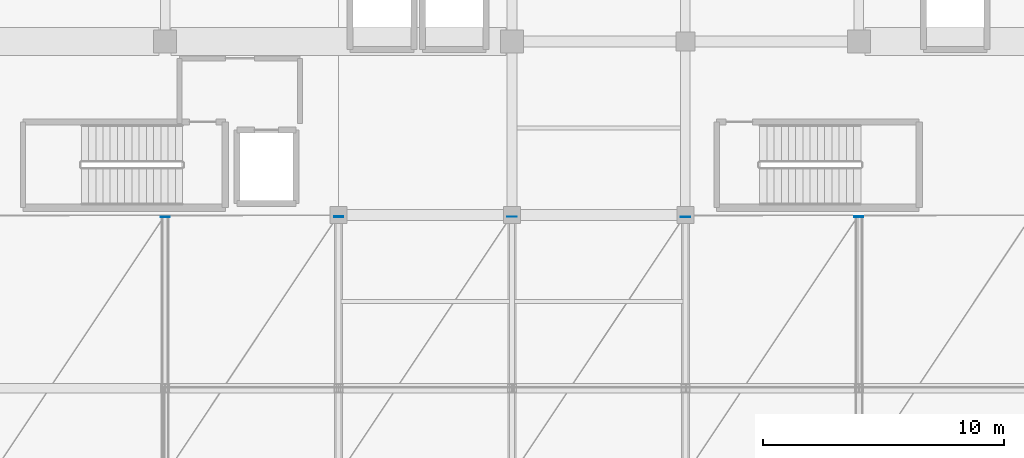
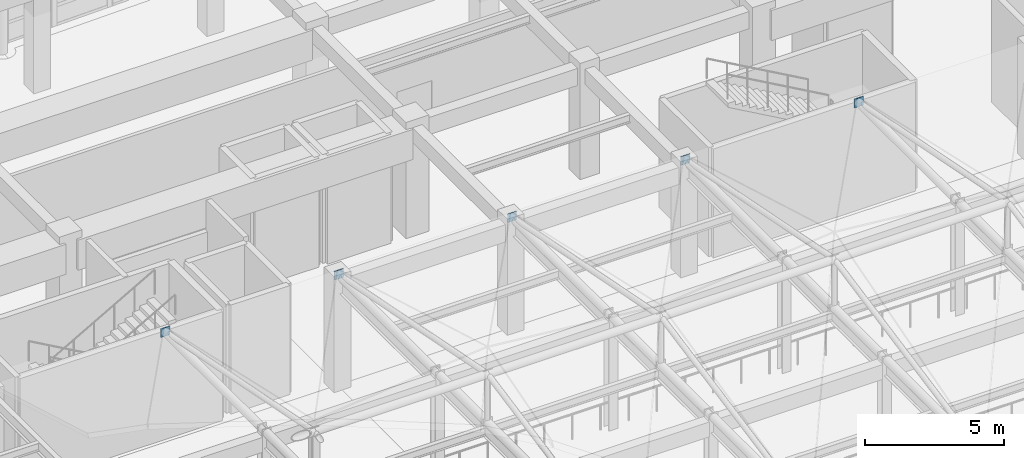
# One storey, part 83 of 117: 5 plates.
"""IFC4 building model written with IfcOpenShell, lengths in metres."""

from ifc_helpers import new_model, si_unit, direction, frame, origin, origin_2d, place, context, subcontext, project, spatial, rectangle, extrude, material, layer, layer_set, type_object, element, save


model = new_model("IFC4")

# Units and contexts
model_context = context("Model", 3, precision=1e-05, world=origin(), true_north=direction((0.0, 1.0)))
body_context = subcontext(model_context, "Body", "Model", "MODEL_VIEW")
ifc_project = project(units=[si_unit("LENGTHUNIT", "METRE"), si_unit("AREAUNIT", "SQUARE_METRE"), si_unit("VOLUMEUNIT", "CUBIC_METRE"), si_unit("PLANEANGLEUNIT", "RADIAN"), si_unit("MASSUNIT", "GRAM", prefix="KILO")], contexts=[model_context])

# Site, building, storey
site_placement = place(None, origin())
site = spatial("IfcSite", under=ifc_project, at=site_placement, CompositionType="ELEMENT")
building_placement = place(site_placement, origin())
building = spatial("IfcBuilding", under=site, at=building_placement, Name="Carrowvane Square Congress Hotel", CompositionType="ELEMENT")
storey_placement = place(building_placement, frame((0.0, 0.0, 5.39990234375)))
storey = spatial("IfcBuildingStorey", under=building, at=storey_placement, Name="L01", CompositionType="ELEMENT", Elevation=5.39990234375)

# Plates
ifc_material_1 = material(Name="Steel S355", Category="steel")
ifc_layer_1 = layer(ifc_material_1, 0.02001953125)
ifc_layer_set_1 = layer_set([ifc_layer_1], Name="Steel S355")
plate_type_1 = type_object("IfcPlateType", Name="PLT-GUS-20", PredefinedType="SHEET", material=ifc_layer_set_1)
for number, where, z_axis, x_axis, name in (
    (1, (76.39990234375, 91.719970703125, 4.730224609375), (0.0, 0.0, 1.0), (1.0, 0.0, 0.0), "L01 brace connection end plate 240"),
    (2, (98.0, 91.719970703125, 4.730224609375), (0.0, 0.0, 1.0), (1.0, 0.0, 0.0), "L01 brace connection end plate 252"),
):
    element("IfcPlate", number, at=place(storey_placement, frame(where, z_axis=z_axis, x_axis=x_axis)), inside=storey, type_object=plate_type_1, Name=name, PredefinedType="SHEET", context=body_context, shape_type="SweptSolid", body=[
        extrude(rectangle(XDim=0.3798828125, YDim=0.02001953125, at=origin_2d()), origin(), (0.0, 0.0, 1.0), 0.3798828125),
    ])
ifc_material_2 = material(Name="Steel S355", Category="steel")
ifc_layer_2 = layer(ifc_material_2, 0.030029296875)
ifc_layer_set_2 = layer_set([ifc_layer_2], Name="Steel S355")
plate_type_2 = type_object("IfcPlateType", Name="PLT-GUS-30", PredefinedType="USERDEFINED", material=ifc_layer_set_2)
for number, where, z_axis, x_axis, name in (
    (3, (83.60009765625, 91.719970703125, 4.730224609375), (0.0, 0.0, 1.0), (1.0, 0.0, 0.0), "L01 brace connection end plate 244"),
    (4, (105.199951171875, 91.719970703125, 4.730224609375), (0.0, 0.0, 1.0), (1.0, 0.0, 0.0), "L01 brace connection end plate 256"),
):
    element("IfcPlate", number, at=place(storey_placement, frame(where, z_axis=z_axis, x_axis=x_axis)), inside=storey, type_object=plate_type_2, Name=name, ObjectType="GUSSET PLATE", PredefinedType="USERDEFINED", context=body_context, shape_type="SweptSolid", body=[
        extrude(rectangle(XDim=0.3798828125, YDim=0.030029296875, at=origin_2d()), origin(), (0.0, 0.0, 1.0), 0.3798828125),
    ])
ifc_material_3 = material(Name="Steel S355", Category="steel")
ifc_layer_3 = layer(ifc_material_3, 0.01611328125)
ifc_layer_set_3 = layer_set([ifc_layer_3], Name="Steel S355")
plate_type_3 = type_object("IfcPlateType", Name="PLT-STF-16", PredefinedType="USERDEFINED", material=ifc_layer_set_3)
plate_placement = place(storey_placement, frame((90.800048828125, 91.719970703125, 4.730224609375), z_axis=(0.0, 0.0, 1.0), x_axis=(1.0, 0.0, 0.0)))
element("IfcPlate", 5, at=plate_placement, inside=storey, type_object=plate_type_3, Name="L01 brace connection end plate 248", ObjectType="STIFFENER PLATE", PredefinedType="USERDEFINED", context=body_context, shape_type="SweptSolid", body=[
    extrude(rectangle(XDim=0.3798828125, YDim=0.01611328125, at=origin_2d()), origin(), (0.0, 0.0, 1.0), 0.3798828125),
])

save(model, "model.ifc")
